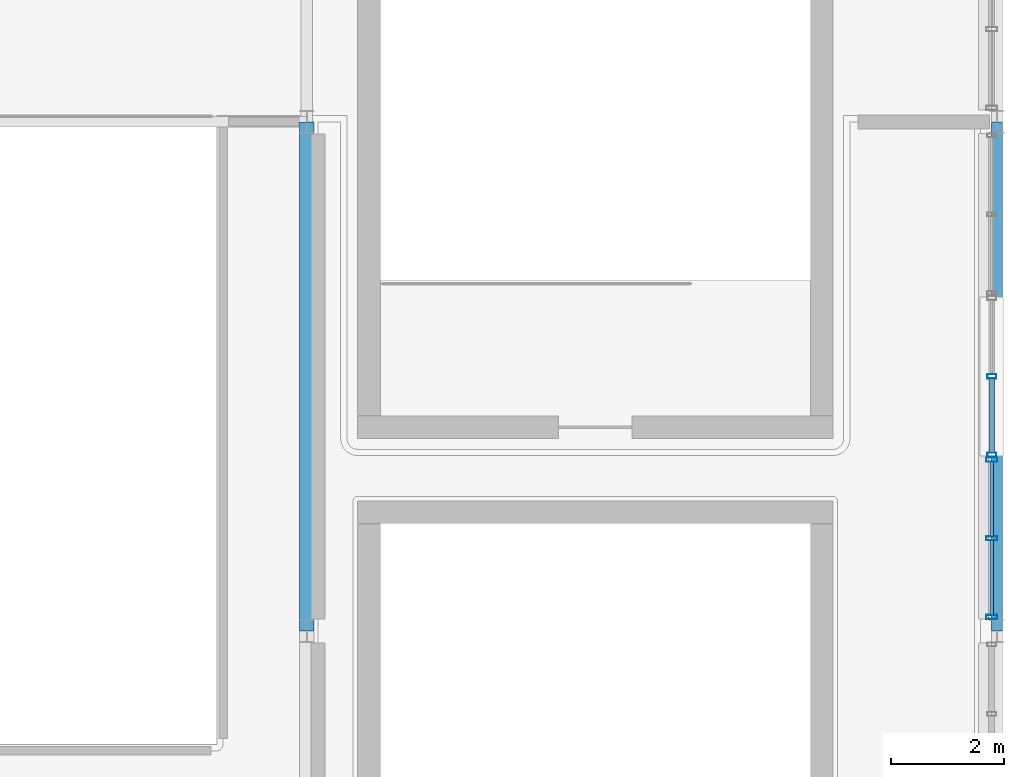
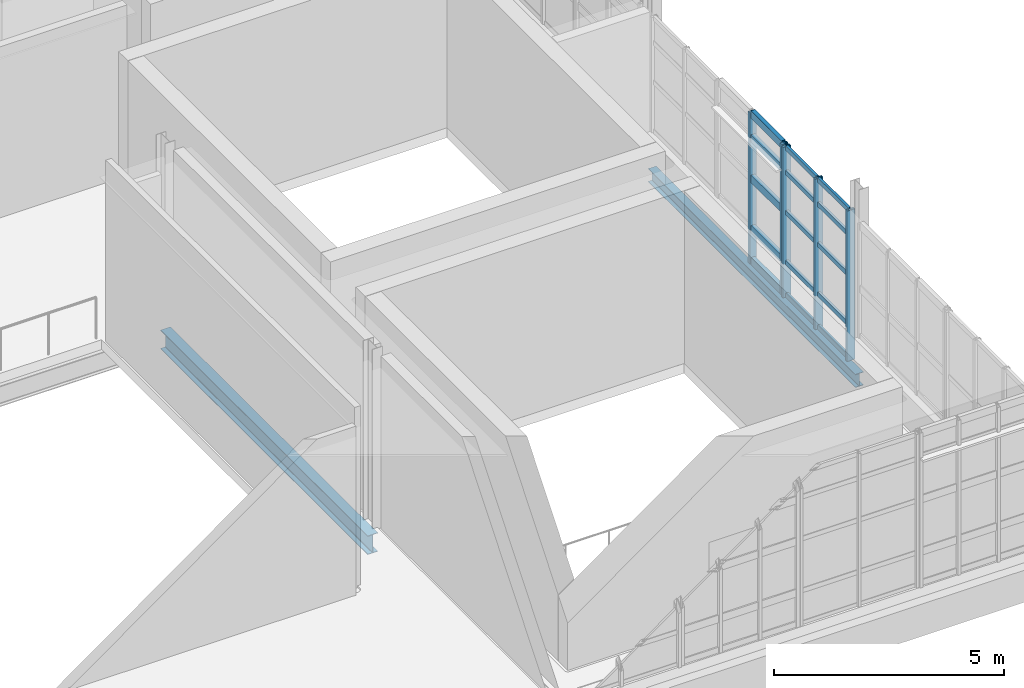
# One storey, part 55 of 102: 20 members, 2 beams, 2 elements without a shape of their own.
"""IFC4 building model written with IfcOpenShell, lengths in metres."""

from ifc_helpers import new_model, si_unit, derived_unit, direction, frame, origin, origin_2d, place, context, subcontext, project, spatial, hollow_rectangle, i_section, extrude, material, layer, layer_set, material_profile, profile_set, type_object, element, aggregate, save


model = new_model("IFC4")

# Units and contexts
model_context = context("Model", 3, precision=1e-05, world=origin(), true_north=direction((0.0, 1.0)))
body_context = subcontext(model_context, "Body", "Model", "MODEL_VIEW")
ifc_project = project(units=[si_unit("LENGTHUNIT", "METRE"), si_unit("AREAUNIT", "SQUARE_METRE"), si_unit("VOLUMEUNIT", "CUBIC_METRE"), si_unit("PLANEANGLEUNIT", "RADIAN"), si_unit("MASSUNIT", "GRAM", prefix="KILO"), derived_unit("THERMALTRANSMITTANCEUNIT", [(si_unit("POWERUNIT", "WATT"), 1), (si_unit("LENGTHUNIT", "METRE"), -2), (si_unit("THERMODYNAMICTEMPERATUREUNIT", "KELVIN"), -1)])], contexts=[model_context])

# Site, building, storey
site_placement = place(None, origin())
site = spatial("IfcSite", under=ifc_project, at=site_placement, CompositionType="ELEMENT")
building_placement = place(site_placement, origin())
building = spatial("IfcBuilding", under=site, at=building_placement, Name="Nallur Shell Playhouse", CompositionType="ELEMENT")
storey_placement = place(building_placement, frame((0.0, 0.0, 15.0)))
storey = spatial("IfcBuildingStorey", under=building, at=storey_placement, Name="L04", CompositionType="ELEMENT", Elevation=15.0)

# Beams
ifc_material_1 = material(Name="Steel E350", Category="steel")
ifc_material_profile_1 = material_profile(ifc_material_1, i_section(OverallWidth=0.199951171875, OverallDepth=0.35009765625, WebThickness=0.008056640625, FlangeThickness=0.011474609375, FilletRadius=0.011962890625, at=origin_2d()), Name="ISWB 350")
ifc_profile_set_1 = profile_set([ifc_material_profile_1], Name="Steel E350")
beam_type_1 = type_object("IfcBeamType", Name="BM-ST-ISWB350", PredefinedType="BEAM", material=ifc_profile_set_1)
beam_1_placement = place(storey_placement, frame((159.800048828125, 32.0, -0.43505859375), z_axis=(0.0, 1.0, 0.0), x_axis=(-1.0, 0.0, 0.0)))
element("IfcBeam", 1, at=beam_1_placement, inside=storey, type_object=beam_type_1, Name="L04 girder Y-19-870", PredefinedType="BEAM", context=body_context, shape_type="SweptSolid", body=[
    extrude(i_section(OverallWidth=0.199951171875, OverallDepth=0.35009765625, WebThickness=0.008056640625, FlangeThickness=0.011474609375, FilletRadius=0.011962890625, at=origin_2d()), origin(), (0.0, 0.0, 1.0), 9.0),
])
ifc_material_profile_2 = material_profile(ifc_material_1, i_section(OverallWidth=0.25, OverallDepth=0.5, WebThickness=0.010009765625, FlangeThickness=0.0146484375, FilletRadius=0.014892578125, at=origin_2d()), Name="ISWB 500")
ifc_profile_set_2 = profile_set([ifc_material_profile_2], Name="Steel E350")
beam_type_2 = type_object("IfcBeamType", Name="BM-ST-ISWB500", PredefinedType="BEAM", material=ifc_profile_set_2)
beam_2_placement = place(storey_placement, frame((147.60009765625, 32.0, -0.510009765625), z_axis=(0.0, 1.0, 0.0), x_axis=(-1.0, 0.0, 0.0)))
element("IfcBeam", 2, at=beam_2_placement, inside=storey, type_object=beam_type_2, Name="L04 girder Y-18-867", PredefinedType="BEAM", context=body_context, shape_type="SweptSolid", body=[
    extrude(i_section(OverallWidth=0.25, OverallDepth=0.5, WebThickness=0.010009765625, FlangeThickness=0.0146484375, FilletRadius=0.014892578125, at=origin_2d()), origin(), (0.0, 0.0, 1.0), 9.0),
])

# Curtain wall, members
ifc_material_2 = material(Name="Anodised Aluminium Double-Glazed Facade System", Category="aluminium")
ifc_layer_1 = layer(ifc_material_2, 0.16796875)
ifc_layer_set_1 = layer_set([ifc_layer_1], Name="Anodised Aluminium Double-Glazed Facade System")
curtain_wall_type_1 = type_object("IfcCurtainWallType", Name="CW-UNIT-20", PredefinedType="NOTDEFINED", material=ifc_layer_set_1)
curtain_wall_1_placement = place(storey_placement, origin())
curtain_wall_1 = element("IfcCurtainWall", 3, at=curtain_wall_1_placement, inside=storey, type_object=curtain_wall_type_1, Name="Unitised curtain wall CW-116 (L04)", PredefinedType="NOTDEFINED")
ifc_material_3 = material(Name="Aluminium Alloy 6063-T6 Mullion", Category="aluminium")
ifc_material_profile_3 = material_profile(ifc_material_3, hollow_rectangle(XDim=0.080078125, YDim=0.159912109375, WallThickness=0.006103515625, at=origin_2d()), Name="RHS 160x80x6")
ifc_profile_set_3 = profile_set([ifc_material_profile_3], Name="Aluminium Alloy 6063-T6 Mullion")
member_type_1 = type_object("IfcMemberType", Name="MB-CW-MUL150", PredefinedType="MULLION", material=ifc_profile_set_3)
member_1_placement = place(storey_placement, frame((159.7099609375, 36.5, -0.014892578125), z_axis=(0.0, 0.0, 1.0), x_axis=(0.0, -1.0, 0.0)))
member_1 = element("IfcMember", 4, at=member_1_placement, type_object=member_type_1, Name="CW-20 mullion 2", PredefinedType="MULLION", context=body_context, shape_type="SweptSolid", body=[
    extrude(hollow_rectangle(XDim=0.080078125, YDim=0.159912109375, WallThickness=0.006103515625, at=origin_2d()), origin(), (0.0, 0.0, 1.0), 4.00390625),
])
member_2_placement = place(storey_placement, frame((159.7099609375, 35.1142578125, -0.014892578125), z_axis=(0.0, 0.0, 1.0), x_axis=(0.0, -1.0, 0.0)))
member_2 = element("IfcMember", 5, at=member_2_placement, type_object=member_type_1, Name="CW-20 mullion 3", PredefinedType="MULLION", context=body_context, shape_type="SweptSolid", body=[
    extrude(hollow_rectangle(XDim=0.080078125, YDim=0.159912109375, WallThickness=0.006103515625, at=origin_2d()), origin(), (0.0, 0.0, 1.0), 4.00390625),
])

ifc_layer_2 = layer(ifc_material_2, 0.172119140625)
ifc_layer_set_2 = layer_set([ifc_layer_2], Name="Anodised Aluminium Double-Glazed Facade System")
curtain_wall_type_2 = type_object("IfcCurtainWallType", Name="CW-UNIT-21", PredefinedType="NOTDEFINED", material=ifc_layer_set_2)
curtain_wall_2_placement = place(storey_placement, origin())
curtain_wall_2 = element("IfcCurtainWall", 6, at=curtain_wall_2_placement, inside=storey, type_object=curtain_wall_type_2, Name="Unitised curtain wall CW-117 (L04)", PredefinedType="NOTDEFINED")
ifc_material_profile_4 = material_profile(ifc_material_3, hollow_rectangle(XDim=0.074951171875, YDim=0.199951171875, WallThickness=0.0048828125, at=origin_2d()), Name="ALU 75x200x5")
ifc_profile_set_4 = profile_set([ifc_material_profile_4], Name="Aluminium Alloy 6063-T6 Mullion")
member_type_2 = type_object("IfcMemberType", Name="MB-CW-MUL180", PredefinedType="MULLION", material=ifc_profile_set_4)
member_3_placement = place(storey_placement, frame((159.7099609375, 35.02685546875, -0.014892578125), z_axis=(0.0, 0.0, 1.0), x_axis=(0.0, -1.0, 0.0)))
member_3 = element("IfcMember", 7, at=member_3_placement, type_object=member_type_2, Name="CW-21 mullion 1", PredefinedType="MULLION", context=body_context, shape_type="SweptSolid", body=[
    extrude(hollow_rectangle(XDim=0.074951171875, YDim=0.199951171875, WallThickness=0.0048828125, at=origin_2d()), origin(), (0.0, 0.0, 1.0), 3.98388671875),
])
member_4_placement = place(storey_placement, frame((159.7099609375, 33.63623046875, -0.014892578125), z_axis=(0.0, 0.0, 1.0), x_axis=(0.0, -1.0, 0.0)))
member_4 = element("IfcMember", 8, at=member_4_placement, type_object=member_type_2, Name="CW-21 mullion 2", PredefinedType="MULLION", context=body_context, shape_type="SweptSolid", body=[
    extrude(hollow_rectangle(XDim=0.074951171875, YDim=0.199951171875, WallThickness=0.0048828125, at=origin_2d()), origin(), (0.0, 0.0, 1.0), 3.98388671875),
])
member_5_placement = place(storey_placement, frame((159.7099609375, 32.24560546875, -0.014892578125), z_axis=(0.0, 0.0, 1.0), x_axis=(0.0, -1.0, 0.0)))
member_5 = element("IfcMember", 9, at=member_5_placement, type_object=member_type_2, Name="CW-21 mullion 3", PredefinedType="MULLION", context=body_context, shape_type="SweptSolid", body=[
    extrude(hollow_rectangle(XDim=0.074951171875, YDim=0.199951171875, WallThickness=0.0048828125, at=origin_2d()), origin(), (0.0, 0.0, 1.0), 3.98388671875),
])
ifc_material_4 = material(Name="Aluminium Alloy 6063-T6 Transom", Category="aluminium")
ifc_material_profile_5 = material_profile(ifc_material_4, hollow_rectangle(XDim=0.06494140625, YDim=0.1201171875, WallThickness=0.00390625, at=origin_2d()), Name="ALU 65x120x4")
ifc_profile_set_5 = profile_set([ifc_material_profile_5], Name="Aluminium Alloy 6063-T6 Transom")
member_type_3 = type_object("IfcMemberType", Name="MB-CW-TRN120", PredefinedType="USERDEFINED", material=ifc_profile_set_5)
member_6_placement = place(storey_placement, frame((159.7099609375, 34.997314453125, 0.032470703125), z_axis=(0.0, -1.0, 0.0), x_axis=(1.0, 0.0, 0.0)))
member_6 = element("IfcMember", 10, at=member_6_placement, type_object=member_type_3, Name="CW-21 transom 1.1", ObjectType="TRANSOM", PredefinedType="USERDEFINED", context=body_context, shape_type="SweptSolid", body=[
    extrude(hollow_rectangle(XDim=0.06494140625, YDim=0.1201171875, WallThickness=0.00390625, at=origin_2d()), origin(), (0.0, 0.0, 1.0), 1.33154296875),
])
member_7_placement = place(storey_placement, frame((159.7099609375, 34.997314453125, 0.89990234375), z_axis=(0.0, -1.0, 0.0), x_axis=(1.0, 0.0, 0.0)))
member_7 = element("IfcMember", 11, at=member_7_placement, type_object=member_type_3, Name="CW-21 transom 1.2", ObjectType="TRANSOM", PredefinedType="USERDEFINED", context=body_context, shape_type="SweptSolid", body=[
    extrude(hollow_rectangle(XDim=0.06494140625, YDim=0.1201171875, WallThickness=0.00390625, at=origin_2d()), origin(), (0.0, 0.0, 1.0), 1.33154296875),
])
member_8_placement = place(storey_placement, frame((159.7099609375, 34.997314453125, 2.219970703125), z_axis=(0.0, -1.0, 0.0), x_axis=(1.0, 0.0, 0.0)))
member_8 = element("IfcMember", 12, at=member_8_placement, type_object=member_type_3, Name="CW-21 transom 1.3", ObjectType="TRANSOM", PredefinedType="USERDEFINED", context=body_context, shape_type="SweptSolid", body=[
    extrude(hollow_rectangle(XDim=0.06494140625, YDim=0.1201171875, WallThickness=0.00390625, at=origin_2d()), origin(), (0.0, 0.0, 1.0), 1.33154296875),
])
member_9_placement = place(storey_placement, frame((159.7099609375, 34.997314453125, 3.284912109375), z_axis=(0.0, -1.0, 0.0), x_axis=(1.0, 0.0, 0.0)))
member_9 = element("IfcMember", 13, at=member_9_placement, type_object=member_type_3, Name="CW-21 transom 1.4", ObjectType="TRANSOM", PredefinedType="USERDEFINED", context=body_context, shape_type="SweptSolid", body=[
    extrude(hollow_rectangle(XDim=0.06494140625, YDim=0.1201171875, WallThickness=0.00390625, at=origin_2d()), origin(), (0.0, 0.0, 1.0), 1.33154296875),
])
member_10_placement = place(storey_placement, frame((159.7099609375, 34.997314453125, 3.9326171875), z_axis=(0.0, -1.0, 0.0), x_axis=(1.0, 0.0, 0.0)))
member_10 = element("IfcMember", 14, at=member_10_placement, type_object=member_type_3, Name="CW-21 transom 1.5", ObjectType="TRANSOM", PredefinedType="USERDEFINED", context=body_context, shape_type="SweptSolid", body=[
    extrude(hollow_rectangle(XDim=0.06494140625, YDim=0.1201171875, WallThickness=0.00390625, at=origin_2d()), origin(), (0.0, 0.0, 1.0), 1.33154296875),
])
member_11_placement = place(storey_placement, frame((159.7099609375, 33.606689453125, 0.032470703125), z_axis=(0.0, -1.0, 0.0), x_axis=(1.0, 0.0, 0.0)))
member_11 = element("IfcMember", 15, at=member_11_placement, type_object=member_type_3, Name="CW-21 transom 2.1", ObjectType="TRANSOM", PredefinedType="USERDEFINED", context=body_context, shape_type="SweptSolid", body=[
    extrude(hollow_rectangle(XDim=0.06494140625, YDim=0.1201171875, WallThickness=0.00390625, at=origin_2d()), origin(), (0.0, 0.0, 1.0), 1.331787109375),
])
member_12_placement = place(storey_placement, frame((159.7099609375, 33.606689453125, 0.89990234375), z_axis=(0.0, -1.0, 0.0), x_axis=(1.0, 0.0, 0.0)))
member_12 = element("IfcMember", 16, at=member_12_placement, type_object=member_type_3, Name="CW-21 transom 2.2", ObjectType="TRANSOM", PredefinedType="USERDEFINED", context=body_context, shape_type="SweptSolid", body=[
    extrude(hollow_rectangle(XDim=0.06494140625, YDim=0.1201171875, WallThickness=0.00390625, at=origin_2d()), origin(), (0.0, 0.0, 1.0), 1.331787109375),
])
member_13_placement = place(storey_placement, frame((159.7099609375, 33.606689453125, 2.219970703125), z_axis=(0.0, -1.0, 0.0), x_axis=(1.0, 0.0, 0.0)))
member_13 = element("IfcMember", 17, at=member_13_placement, type_object=member_type_3, Name="CW-21 transom 2.3", ObjectType="TRANSOM", PredefinedType="USERDEFINED", context=body_context, shape_type="SweptSolid", body=[
    extrude(hollow_rectangle(XDim=0.06494140625, YDim=0.1201171875, WallThickness=0.00390625, at=origin_2d()), origin(), (0.0, 0.0, 1.0), 1.331787109375),
])
member_14_placement = place(storey_placement, frame((159.7099609375, 33.606689453125, 3.284912109375), z_axis=(0.0, -1.0, 0.0), x_axis=(1.0, 0.0, 0.0)))
member_14 = element("IfcMember", 18, at=member_14_placement, type_object=member_type_3, Name="CW-21 transom 2.4", ObjectType="TRANSOM", PredefinedType="USERDEFINED", context=body_context, shape_type="SweptSolid", body=[
    extrude(hollow_rectangle(XDim=0.06494140625, YDim=0.1201171875, WallThickness=0.00390625, at=origin_2d()), origin(), (0.0, 0.0, 1.0), 1.331787109375),
])
member_15_placement = place(storey_placement, frame((159.7099609375, 33.606689453125, 3.9326171875), z_axis=(0.0, -1.0, 0.0), x_axis=(1.0, 0.0, 0.0)))
member_15 = element("IfcMember", 19, at=member_15_placement, type_object=member_type_3, Name="CW-21 transom 2.5", ObjectType="TRANSOM", PredefinedType="USERDEFINED", context=body_context, shape_type="SweptSolid", body=[
    extrude(hollow_rectangle(XDim=0.06494140625, YDim=0.1201171875, WallThickness=0.00390625, at=origin_2d()), origin(), (0.0, 0.0, 1.0), 1.331787109375),
])
aggregate(curtain_wall_2, [member_3, member_4, member_5, member_6, member_7, member_8, member_9, member_10, member_11, member_12, member_13, member_14, member_15])

# Member
ifc_material_profile_6 = material_profile(ifc_material_4, hollow_rectangle(XDim=0.10009765625, YDim=0.199951171875, WallThickness=0.008056640625, at=origin_2d()), Name="RHS 200x100x8")
ifc_profile_set_6 = profile_set([ifc_material_profile_6], Name="Aluminium Alloy 6063-T6 Transom")
member_type_4 = type_object("IfcMemberType", Name="MB-CW-TRN140", PredefinedType="USERDEFINED", material=ifc_profile_set_6)
member_16_placement = place(storey_placement, frame((159.7099609375, 36.468017578125, 0.050048828125), z_axis=(0.0, -1.0, 0.0), x_axis=(1.0, 0.0, 0.0)))
member_16 = element("IfcMember", 20, at=member_16_placement, type_object=member_type_4, Name="CW-20 transom 2.1", ObjectType="TRANSOM", PredefinedType="USERDEFINED", context=body_context, shape_type="SweptSolid", body=[
    extrude(hollow_rectangle(XDim=0.10009765625, YDim=0.199951171875, WallThickness=0.008056640625, at=origin_2d()), origin(), (0.0, 0.0, 1.0), 1.32177734375),
])

member_17_placement = place(storey_placement, frame((159.7099609375, 36.468017578125, 0.89990234375), z_axis=(0.0, -1.0, 0.0), x_axis=(1.0, 0.0, 0.0)))
member_17 = element("IfcMember", 21, at=member_17_placement, type_object=member_type_4, Name="CW-20 transom 2.2", ObjectType="TRANSOM", PredefinedType="USERDEFINED", context=body_context, shape_type="SweptSolid", body=[
    extrude(hollow_rectangle(XDim=0.10009765625, YDim=0.199951171875, WallThickness=0.008056640625, at=origin_2d()), origin(), (0.0, 0.0, 1.0), 1.32177734375),
])

member_18_placement = place(storey_placement, frame((159.7099609375, 36.468017578125, 2.23193359375), z_axis=(0.0, -1.0, 0.0), x_axis=(1.0, 0.0, 0.0)))
member_18 = element("IfcMember", 22, at=member_18_placement, type_object=member_type_4, Name="CW-20 transom 2.3", ObjectType="TRANSOM", PredefinedType="USERDEFINED", context=body_context, shape_type="SweptSolid", body=[
    extrude(hollow_rectangle(XDim=0.10009765625, YDim=0.199951171875, WallThickness=0.008056640625, at=origin_2d()), origin(), (0.0, 0.0, 1.0), 1.32177734375),
])

member_19_placement = place(storey_placement, frame((159.7099609375, 36.468017578125, 3.304931640625), z_axis=(0.0, -1.0, 0.0), x_axis=(1.0, 0.0, 0.0)))
member_19 = element("IfcMember", 23, at=member_19_placement, type_object=member_type_4, Name="CW-20 transom 2.4", ObjectType="TRANSOM", PredefinedType="USERDEFINED", context=body_context, shape_type="SweptSolid", body=[
    extrude(hollow_rectangle(XDim=0.10009765625, YDim=0.199951171875, WallThickness=0.008056640625, at=origin_2d()), origin(), (0.0, 0.0, 1.0), 1.32177734375),
])

member_20_placement = place(storey_placement, frame((159.7099609375, 36.468017578125, 3.93505859375), z_axis=(0.0, -1.0, 0.0), x_axis=(1.0, 0.0, 0.0)))
member_20 = element("IfcMember", 24, at=member_20_placement, type_object=member_type_4, Name="CW-20 transom 2.5", ObjectType="TRANSOM", PredefinedType="USERDEFINED", context=body_context, shape_type="SweptSolid", body=[
    extrude(hollow_rectangle(XDim=0.10009765625, YDim=0.199951171875, WallThickness=0.008056640625, at=origin_2d()), origin(), (0.0, 0.0, 1.0), 1.32177734375),
])

aggregate(curtain_wall_1, [member_1, member_2, member_16, member_17, member_18, member_19, member_20])

save(model, "model.ifc")
